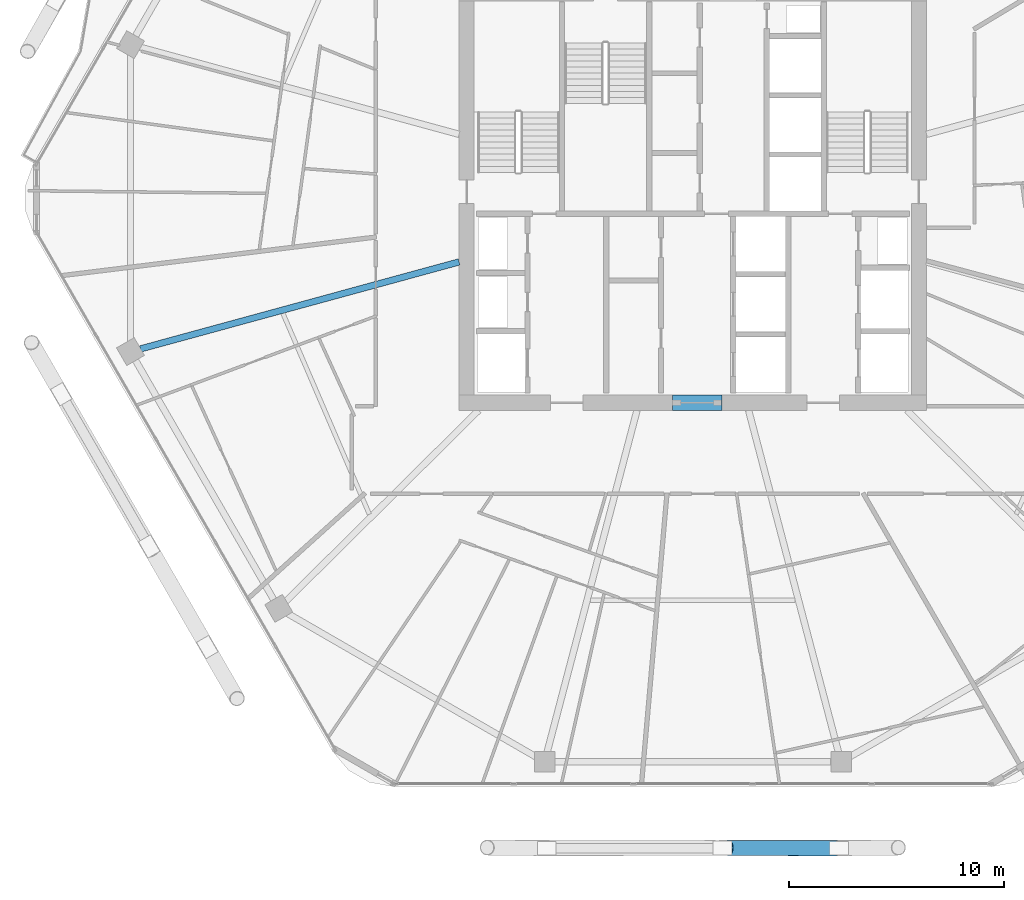
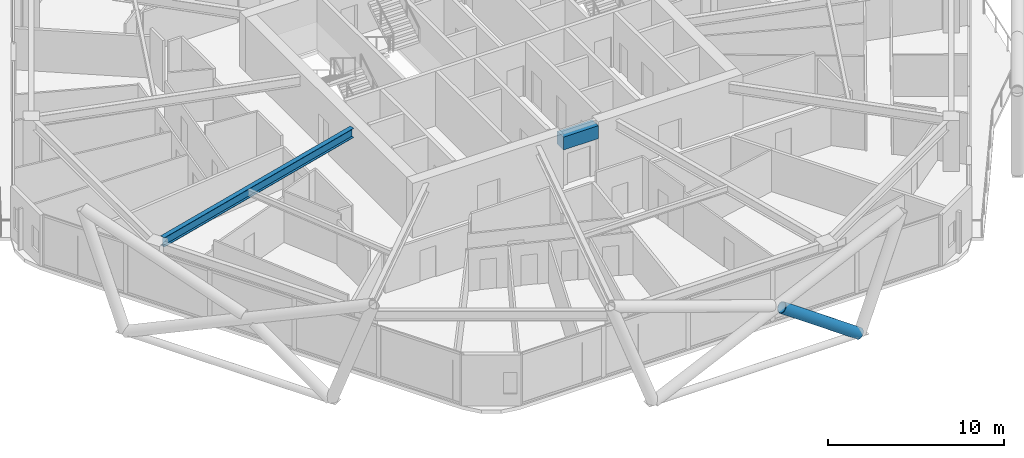
# One storey, part 6 of 28: 2 beams, 1 member.
"""IFC4 building model written with IfcOpenShell, lengths in metres."""

from ifc_helpers import new_model, si_unit, direction, frame, origin, origin_2d, place, context, subcontext, project, spatial, rectangle, hollow_circle, i_section, extrude, material, material_profile, profile_set, type_object, element, save


model = new_model("IFC4")

# Units and contexts
model_context = context("Model", 3, precision=1e-05, world=origin(), true_north=direction((0.0, 1.0)))
body_context = subcontext(model_context, "Body", "Model", "MODEL_VIEW")
ifc_project = project(units=[si_unit("LENGTHUNIT", "METRE"), si_unit("AREAUNIT", "SQUARE_METRE"), si_unit("VOLUMEUNIT", "CUBIC_METRE"), si_unit("PLANEANGLEUNIT", "RADIAN"), si_unit("MASSUNIT", "GRAM", prefix="KILO")], contexts=[model_context])

# Site, building, storey
site_placement = place(None, origin())
site = spatial("IfcSite", under=ifc_project, at=site_placement, CompositionType="ELEMENT")
building_placement = place(site_placement, origin())
building = spatial("IfcBuilding", under=site, at=building_placement, Name="Zuhravey Tower", CompositionType="ELEMENT")
storey_placement = place(building_placement, frame((0.0, 0.0, 199.800048828125)))
storey = spatial("IfcBuildingStorey", under=building, at=storey_placement, Name="L50", CompositionType="ELEMENT", Elevation=199.800048828125)

# Beam
ifc_material_1 = material(Name="Concrete C60/75", Category="concrete")
ifc_material_profile_1 = material_profile(ifc_material_1, rectangle(XDim=0.699951171875, YDim=0.89990234375, at=origin_2d()), Name="RC-700x900")
ifc_profile_set_1 = profile_set([ifc_material_profile_1], Name="Concrete C60/75")
beam_type_1 = type_object("IfcBeamType", Name="Core Coupling Beam RC700x900", PredefinedType="LINTEL", material=ifc_profile_set_1)
beam_1_placement = place(storey_placement, frame((35.052001953125, 22.5, 3.099853515625), z_axis=(1.0, 0.0, 0.0), x_axis=(0.0, 1.0, 0.0)))
element("IfcBeam", 1, at=beam_1_placement, inside=storey, type_object=beam_type_1, Name="L50 CB1 BM-L50-CB-S", PredefinedType="LINTEL", context=body_context, shape_type="SweptSolid", body=[
    extrude(rectangle(XDim=0.699951171875, YDim=0.89990234375, at=origin_2d()), origin(), (0.0, 0.0, 1.0), 2.2958984375),
])

# Member
ifc_material_2 = material(Name="Steel SM460", Category="steel")
ifc_material_profile_2 = material_profile(ifc_material_2, hollow_circle(Radius=0.355712890625, WallThickness=0.031982421875, at=origin_2d()), Name="CHS-711.2x32")
ifc_profile_set_2 = profile_set([ifc_material_profile_2], Name="Steel SM460")
member_type = type_object("IfcMemberType", Name="Exoskeleton Zone 2 Diagrid CHS711x32", PredefinedType="BRACE", material=ifc_profile_set_2)
member_placement = place(storey_placement, frame((42.7421875, 1.81689453125, -0.436767578125), z_axis=(-0.81749967084, 0.002281980023, 0.575924544314), x_axis=(-0.00279140312, -0.999996104027, 0.0)))
element("IfcMember", 2, at=member_placement, inside=storey, type_object=member_type, Name="L50 Face 5 Split Diagrid Brace 3A", PredefinedType="BRACE", context=body_context, shape_type="SweptSolid", body=[
    extrude(hollow_circle(Radius=0.355712890625, WallThickness=0.031982421875, at=origin_2d()), origin(), (0.0, 0.0, 1.0), 6.205322265625),
])

# Beam
ifc_material_3 = material(Name="Steel SM355", Category="steel")
ifc_material_profile_3 = material_profile(ifc_material_3, i_section(OverallWidth=0.300048828125, OverallDepth=0.64990234375, WebThickness=0.012939453125, FlangeThickness=0.02197265625, at=origin_2d()), Name="H-650x300x13x22")
ifc_profile_set_3 = profile_set([ifc_material_profile_3], Name="Steel SM355")
beam_type_2 = type_object("IfcBeamType", Name="Radial Primary Girder H650x300", PredefinedType="BEAM", material=ifc_profile_set_3)
beam_2_placement = place(storey_placement, frame((25.14697265625, 29.03759765625, 3.224853515625), z_axis=(-0.964701703464, -0.263345065139, 0.0), x_axis=(0.263345065139, -0.964701703464, 0.0)))
element("IfcBeam", 3, at=beam_2_placement, inside=storey, type_object=beam_type_2, Name="L50 RG2 BM-L50-RAD-07", PredefinedType="BEAM", context=body_context, shape_type="SweptSolid", body=[
    extrude(i_section(OverallWidth=0.300048828125, OverallDepth=0.64990234375, WebThickness=0.012939453125, FlangeThickness=0.02197265625, at=origin_2d()), origin(), (0.0, 0.0, 1.0), 15.334716796875),
])

save(model, "model.ifc")
